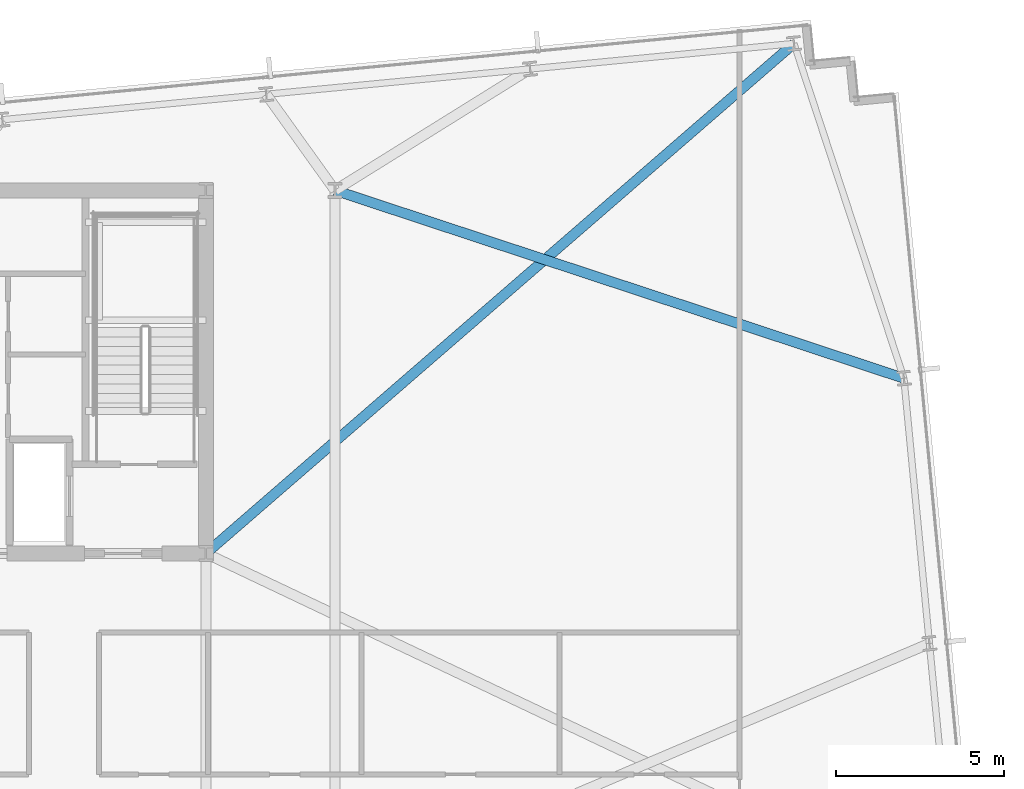
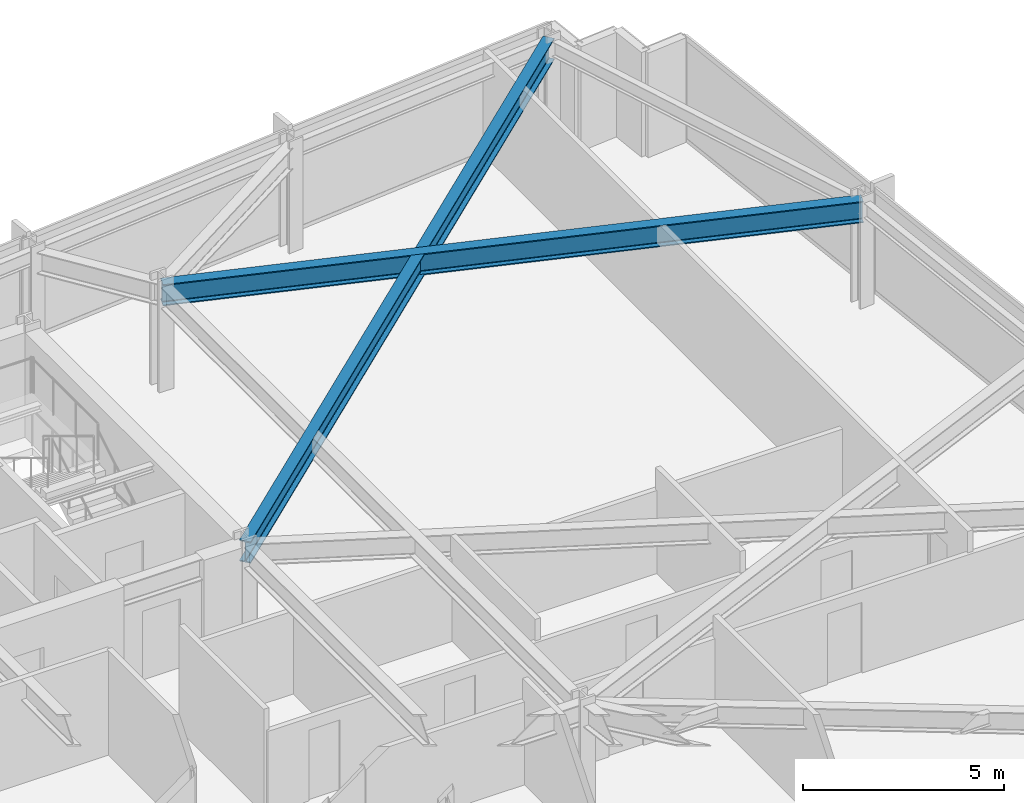
# One storey, part 22 of 33: 2 beams.
"""IFC4 building model written with IfcOpenShell, lengths in metres."""

from ifc_helpers import new_model, si_unit, direction, frame, origin, origin_2d, place, context, subcontext, project, spatial, i_section, extrude, material, material_profile, profile_set, type_object, element, save


model = new_model("IFC4")

# Units and contexts
model_context = context("Model", 3, precision=1e-05, world=origin(), true_north=direction((0.0, 1.0)))
body_context = subcontext(model_context, "Body", "Model", "MODEL_VIEW")
ifc_project = project(units=[si_unit("LENGTHUNIT", "METRE"), si_unit("AREAUNIT", "SQUARE_METRE"), si_unit("VOLUMEUNIT", "CUBIC_METRE"), si_unit("PLANEANGLEUNIT", "RADIAN"), si_unit("MASSUNIT", "GRAM", prefix="KILO")], contexts=[model_context])

# Site, building, storey
site_placement = place(None, origin())
site = spatial("IfcSite", under=ifc_project, at=site_placement, CompositionType="ELEMENT")
building_placement = place(site_placement, origin())
building = spatial("IfcBuilding", under=site, at=building_placement, Name="Yelkora Congress Tower", CompositionType="ELEMENT")
storey_placement = place(building_placement, frame((0.0, 0.0, 110.10009765625)))
storey = spatial("IfcBuildingStorey", under=building, at=storey_placement, Name="L29", CompositionType="ELEMENT", Elevation=110.10009765625)

# Beams
ifc_material = material(Name="Steel S355J2", Category="steel")
ifc_material_profile = material_profile(ifc_material, i_section(OverallWidth=0.300048828125, OverallDepth=0.64990234375, WebThickness=0.01611328125, FlangeThickness=0.031005859375, FilletRadius=0.027099609375, at=origin_2d()), Name="HEB 650")
ifc_profile_set = profile_set([ifc_material_profile], Name="Steel S355J2")
beam_type = type_object("IfcBeamType", Name="BM-GIRD-HEB650", PredefinedType="BEAM", material=ifc_profile_set)
beam_1_placement = place(storey_placement, frame((71.252685546875, 50.568115234375, 2.85498046875), z_axis=(-0.755520317406, -0.655125217029, 0.0), x_axis=(0.655125217029, -0.755520317406, 0.0)))
element("IfcBeam", 1, at=beam_1_placement, inside=storey, type_object=beam_type, Name="L29 Primary Frame Girder N08", PredefinedType="BEAM", context=body_context, shape_type="SweptSolid", body=[
    extrude(i_section(OverallWidth=0.300048828125, OverallDepth=0.64990234375, WebThickness=0.01611328125, FlangeThickness=0.031005859375, FilletRadius=0.027099609375, at=origin_2d()), origin(), (0.0, 0.0, 1.0), 23.153076171875),
])
beam_2_placement = place(storey_placement, frame((74.522216796875, 40.610595703125, 2.85498046875), z_axis=(-0.949544183597, 0.313633294465, 0.0), x_axis=(-0.313633294465, -0.949544183597, 0.0)))
element("IfcBeam", 2, at=beam_2_placement, inside=storey, type_object=beam_type, Name="L29 Primary Frame Girder E03", PredefinedType="BEAM", context=body_context, shape_type="SweptSolid", body=[
    extrude(i_section(OverallWidth=0.300048828125, OverallDepth=0.64990234375, WebThickness=0.01611328125, FlangeThickness=0.031005859375, FilletRadius=0.027099609375, at=origin_2d()), origin(), (0.0, 0.0, 1.0), 17.8212890625),
])

save(model, "model.ifc")
